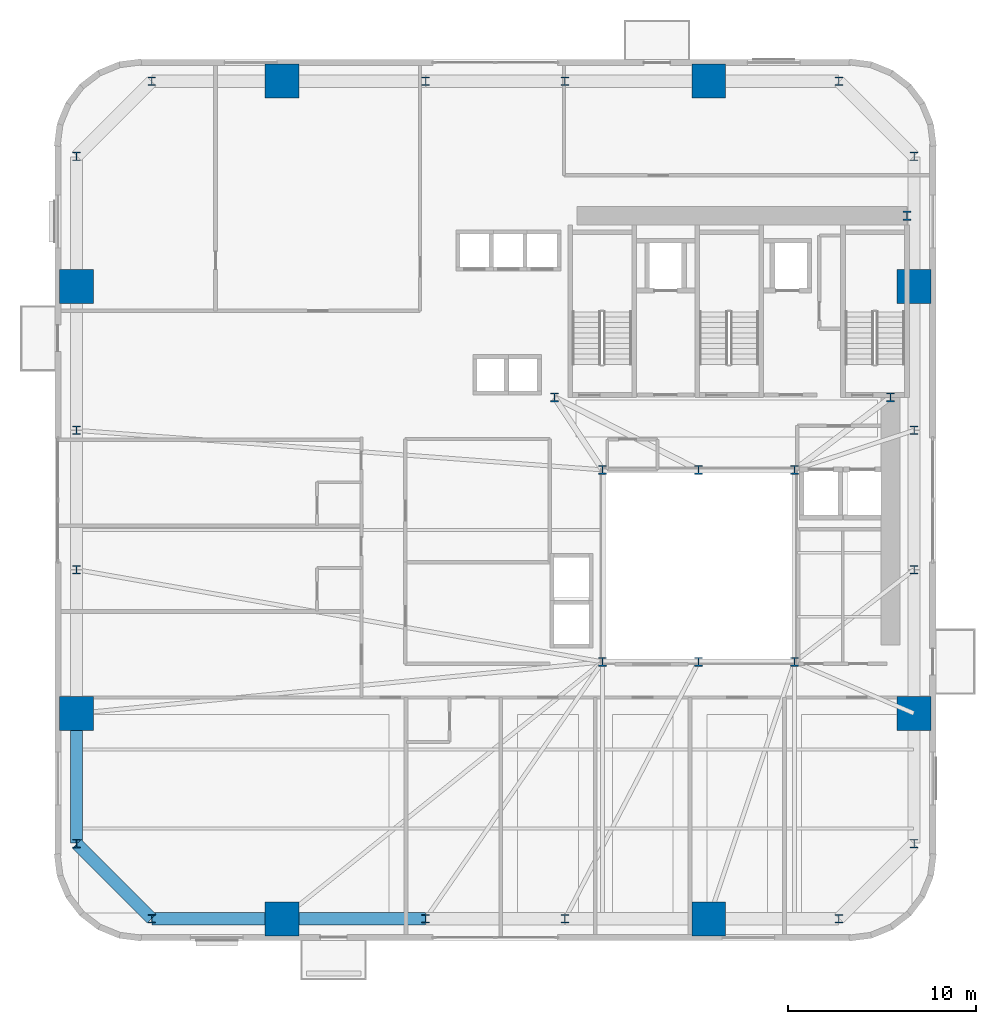
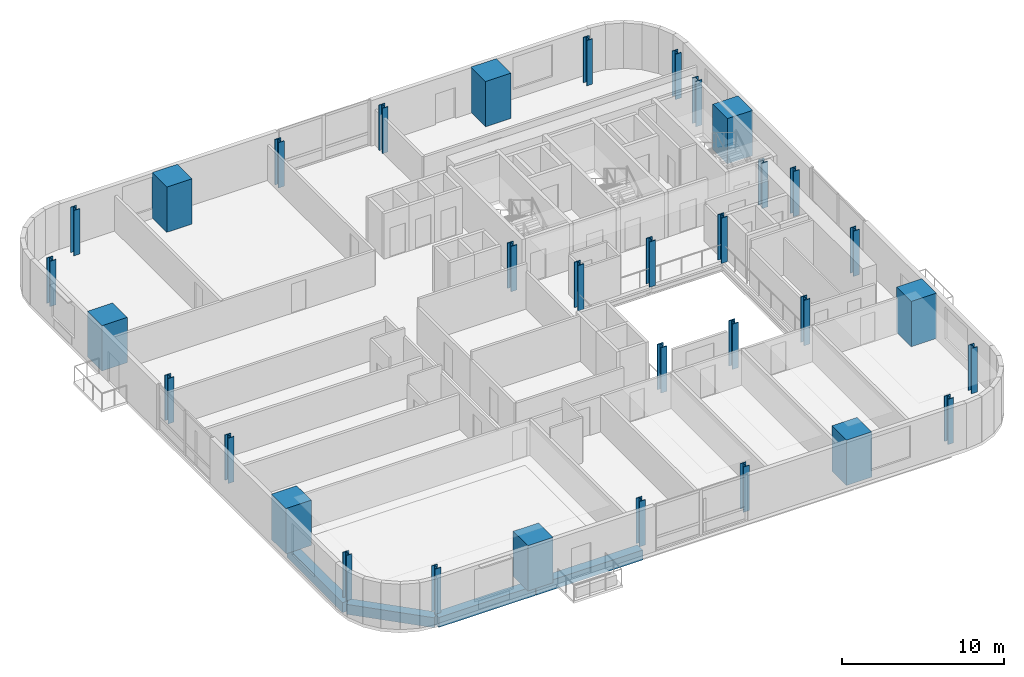
# One storey, part 1 of 11: 33 columns, 4 beams.
"""IFC4 building model written with IfcOpenShell, lengths in metres."""

from ifc_helpers import new_model, si_unit, direction, frame, origin, origin_2d, place, context, subcontext, project, spatial, rectangle, i_section, extrude, source, transform, mapped, material, material_profile, profile_set, type_object, element, save


model = new_model("IFC4")

# Units and contexts
model_context = context("Model", 3, precision=1e-05, world=origin(), true_north=direction((0.0, 1.0)))
body_context = subcontext(model_context, "Body", "Model", "MODEL_VIEW")
ifc_project = project(units=[si_unit("LENGTHUNIT", "METRE"), si_unit("AREAUNIT", "SQUARE_METRE"), si_unit("VOLUMEUNIT", "CUBIC_METRE"), si_unit("PLANEANGLEUNIT", "RADIAN"), si_unit("MASSUNIT", "GRAM", prefix="KILO")], contexts=[model_context])

# Site, building, storey
site_placement = place(None, origin())
site = spatial("IfcSite", under=ifc_project, at=site_placement, CompositionType="ELEMENT")
building_placement = place(site_placement, origin())
building = spatial("IfcBuilding", under=site, at=building_placement, Name="Vardaveli Station Tower", CompositionType="ELEMENT")
storey_placement = place(building_placement, frame((0.0, 0.0, 42.199951171875)))
storey = spatial("IfcBuildingStorey", under=building, at=storey_placement, Name="L10", CompositionType="ELEMENT", Elevation=42.199951171875)

# Columns
ifc_material_1 = material(Name="Structural steel S460M", Category="steel")
ifc_material_profile_1 = material_profile(ifc_material_1, i_section(OverallWidth=0.427978515625, OverallDepth=0.48095703125, WebThickness=0.03955078125, FlangeThickness=0.0634765625, FilletRadius=0.014892578125, at=origin_2d()), Name="HD 400x677")
ifc_profile_set_1 = profile_set([ifc_material_profile_1], Name="Structural steel S460M")
column_type_1 = type_object("IfcColumnType", Name="COL-HD677", PredefinedType="COLUMN", material=ifc_profile_set_1)
shared_shape_1 = source(origin(), body_context, "Body", "SweptSolid", [
    extrude(i_section(OverallWidth=0.427978515625, OverallDepth=0.48095703125, WebThickness=0.03955078125, FlangeThickness=0.0634765625, FilletRadius=0.014892578125, at=origin_2d()), origin(), (0.0, 0.0, 1.0), 3.41015625),
])
for number, where, z_axis, x_axis, name in (
    (1, (31.199951171875, 16.60009765625, 0.0), (0.0, 0.0, 1.0), (1.0, 0.0, 0.0), "COL-L10-AC1"),
    (2, (36.300048828125, 16.60009765625, 0.0), (0.0, 0.0, 1.0), (1.0, 0.0, 0.0), "COL-L10-AC2"),
    (3, (41.39990234375, 16.60009765625, 0.0), (0.0, 0.0, 1.0), (1.0, 0.0, 0.0), "COL-L10-AC3"),
    (4, (41.39990234375, 26.800048828125, 0.0), (0.0, 0.0, 1.0), (1.0, 0.0, 0.0), "COL-L10-AC4"),
    (5, (36.300048828125, 26.800048828125, 0.0), (0.0, 0.0, 1.0), (1.0, 0.0, 0.0), "COL-L10-AC5"),
    (6, (31.199951171875, 26.800048828125, 0.0), (0.0, 0.0, 1.0), (1.0, 0.0, 0.0), "COL-L10-AC6"),
    (7, (28.64990234375, 30.64990234375, 0.0), (0.0, 0.0, 1.0), (1.0, 0.0, 0.0), "COL-L10-CC1"),
    (8, (46.5, 30.64990234375, 0.0), (0.0, 0.0, 1.0), (1.0, 0.0, 0.0), "COL-L10-CC2"),
    (9, (47.3701171875, 40.300048828125, 0.0), (0.0, 0.0, 1.0), (1.0, 0.0, 0.0), "COL-L10-CC3"),
):
    element("IfcColumn", number, at=place(storey_placement, frame(where, z_axis=z_axis, x_axis=x_axis)), inside=storey, type_object=column_type_1, Name=name, PredefinedType="COLUMN", context=body_context, shape_type="MappedRepresentation", body=[
        mapped(shared_shape_1, transform((0.0, 0.0, 0.0), scale=1.0)),
    ])
ifc_material_2 = material(Name="Concrete C70/85", Category="concrete")
ifc_material_profile_2 = material_profile(ifc_material_2, rectangle(XDim=1.800048828125, YDim=1.800048828125, at=origin_2d()), Name="MC 1800x1800")
ifc_profile_set_2 = profile_set([ifc_material_profile_2], Name="Concrete C70/85")
column_type_2 = type_object("IfcColumnType", Name="COL-MC-1800", PredefinedType="COLUMN", material=ifc_profile_set_2)
shared_shape_2 = source(origin(), body_context, "Body", "SweptSolid", [
    extrude(rectangle(XDim=1.800048828125, YDim=1.800048828125, at=origin_2d()), origin(), (0.0, 0.0, 1.0), 3.41015625),
])
for number, where, z_axis, x_axis, name in (
    (10, (14.159912109375, 2.949951171875, 0.0), (0.0, 0.0, 1.0), (1.0, 0.0, 0.0), "COL-L10-MC1"),
    (11, (36.840087890625, 2.949951171875, 0.0), (0.0, 0.0, 1.0), (1.0, 0.0, 0.0), "COL-L10-MC2"),
    (12, (47.75, 13.860107421875, 0.0), (0.0, 0.0, 1.0), (1.0, 0.0, 0.0), "COL-L10-MC3"),
    (13, (47.75, 36.5400390625, 0.0), (0.0, 0.0, 1.0), (1.0, 0.0, 0.0), "COL-L10-MC4"),
    (14, (36.840087890625, 47.449951171875, 0.0), (0.0, 0.0, 1.0), (1.0, 0.0, 0.0), "COL-L10-MC5"),
    (15, (14.159912109375, 47.449951171875, 0.0), (0.0, 0.0, 1.0), (1.0, 0.0, 0.0), "COL-L10-MC6"),
    (16, (3.25, 36.5400390625, 0.0), (0.0, 0.0, 1.0), (1.0, 0.0, 0.0), "COL-L10-MC7"),
    (17, (3.25, 13.860107421875, 0.0), (0.0, 0.0, 1.0), (1.0, 0.0, 0.0), "COL-L10-MC8"),
):
    element("IfcColumn", number, at=place(storey_placement, frame(where, z_axis=z_axis, x_axis=x_axis)), inside=storey, type_object=column_type_2, Name=name, PredefinedType="COLUMN", context=body_context, shape_type="MappedRepresentation", body=[
        mapped(shared_shape_2, transform((0.0, 0.0, 0.0), scale=1.0)),
    ])
ifc_material_profile_3 = material_profile(ifc_material_1, i_section(OverallWidth=0.4189453125, OverallDepth=0.448974609375, WebThickness=0.030517578125, FlangeThickness=0.04833984375, FilletRadius=0.014892578125, at=origin_2d()), Name="HD 400x509")
ifc_profile_set_3 = profile_set([ifc_material_profile_3], Name="Structural steel S460M")
column_type_3 = type_object("IfcColumnType", Name="COL-HD509", PredefinedType="COLUMN", material=ifc_profile_set_3)
shared_shape_3 = source(origin(), body_context, "Body", "SweptSolid", [
    extrude(i_section(OverallWidth=0.4189453125, OverallDepth=0.448974609375, WebThickness=0.030517578125, FlangeThickness=0.04833984375, FilletRadius=0.014892578125, at=origin_2d()), origin(), (0.0, 0.0, 1.0), 3.41015625),
])
for number, where, z_axis, x_axis, name in (
    (18, (7.25, 2.949951171875, 0.0), (0.0, 0.0, 1.0), (1.0, 0.0, 0.0), "COL-L10-PC01"),
    (19, (21.800048828125, 2.949951171875, 0.0), (0.0, 0.0, 1.0), (1.0, 0.0, 0.0), "COL-L10-PC02"),
    (20, (29.199951171875, 2.949951171875, 0.0), (0.0, 0.0, 1.0), (1.0, 0.0, 0.0), "COL-L10-PC03"),
    (21, (43.75, 2.949951171875, 0.0), (0.0, 0.0, 1.0), (1.0, 0.0, 0.0), "COL-L10-PC04"),
    (22, (47.75, 6.949951171875, 0.0), (0.0, 0.0, 1.0), (1.0, 0.0, 0.0), "COL-L10-PC05"),
    (23, (47.75, 21.5, 0.0), (0.0, 0.0, 1.0), (1.0, 0.0, 0.0), "COL-L10-PC06"),
    (24, (47.75, 28.89990234375, 0.0), (0.0, 0.0, 1.0), (1.0, 0.0, 0.0), "COL-L10-PC07"),
    (25, (47.75, 43.449951171875, 0.0), (0.0, 0.0, 1.0), (1.0, 0.0, 0.0), "COL-L10-PC08"),
    (26, (43.75, 47.449951171875, 0.0), (0.0, 0.0, 1.0), (1.0, 0.0, 0.0), "COL-L10-PC09"),
    (27, (29.199951171875, 47.449951171875, 0.0), (0.0, 0.0, 1.0), (1.0, 0.0, 0.0), "COL-L10-PC10"),
    (28, (21.800048828125, 47.449951171875, 0.0), (0.0, 0.0, 1.0), (1.0, 0.0, 0.0), "COL-L10-PC11"),
    (29, (7.25, 47.449951171875, 0.0), (0.0, 0.0, 1.0), (1.0, 0.0, 0.0), "COL-L10-PC12"),
    (30, (3.25, 43.449951171875, 0.0), (0.0, 0.0, 1.0), (1.0, 0.0, 0.0), "COL-L10-PC13"),
    (31, (3.25, 28.89990234375, 0.0), (0.0, 0.0, 1.0), (1.0, 0.0, 0.0), "COL-L10-PC14"),
    (32, (3.25, 21.5, 0.0), (0.0, 0.0, 1.0), (1.0, 0.0, 0.0), "COL-L10-PC15"),
    (33, (3.25, 6.949951171875, 0.0), (0.0, 0.0, 1.0), (1.0, 0.0, 0.0), "COL-L10-PC16"),
):
    element("IfcColumn", number, at=place(storey_placement, frame(where, z_axis=z_axis, x_axis=x_axis)), inside=storey, type_object=column_type_3, Name=name, PredefinedType="COLUMN", context=body_context, shape_type="MappedRepresentation", body=[
        mapped(shared_shape_3, transform((0.0, 0.0, 0.0), scale=1.0)),
    ])

# Beams
ifc_material_3 = material(Name="Precast concrete C45/55", Category="concrete")
ifc_material_profile_4 = material_profile(ifc_material_3, rectangle(XDim=0.64990234375, YDim=0.75, at=origin_2d()), Name="LPB 650x750")
ifc_profile_set_4 = profile_set([ifc_material_profile_4], Name="Precast concrete C45/55")
beam_type = type_object("IfcBeamType", Name="BM-LPB-750", PredefinedType="BEAM", material=ifc_profile_set_4)
shared_shape_4 = source(origin(), body_context, "Body", "SweptSolid", [
    extrude(rectangle(XDim=0.64990234375, YDim=0.75, at=origin_2d()), origin(), (0.0, 0.0, 1.0), 7.60009765625),
])
beam_1_placement = place(storey_placement, frame((14.179931640625, 2.949951171875, -0.614990234375), z_axis=(1.0, 0.0, 0.0), x_axis=(0.0, 1.0, 0.0)))
element("IfcBeam", 34, at=beam_1_placement, inside=storey, type_object=beam_type, Name="RBM-L10-01", PredefinedType="BEAM", context=body_context, shape_type="MappedRepresentation", body=[
    mapped(shared_shape_4, transform((0.0, 0.0, 0.0), scale=1.0)),
])
shared_shape_5 = source(origin(), body_context, "Body", "SweptSolid", [
    extrude(rectangle(XDim=0.64990234375, YDim=0.75, at=origin_2d()), origin(), (0.0, 0.0, 1.0), 6.869873046875),
])
beam_2_placement = place(storey_placement, frame((7.27001953125, 2.949951171875, -0.614990234375), z_axis=(1.0, 0.0, 0.0), x_axis=(0.0, 1.0, 0.0)))
element("IfcBeam", 35, at=beam_2_placement, inside=storey, type_object=beam_type, Name="RBM-L10-24", PredefinedType="BEAM", context=body_context, shape_type="MappedRepresentation", body=[
    mapped(shared_shape_5, transform((0.0, 0.0, 0.0), scale=1.0)),
])
shared_shape_6 = source(origin(), body_context, "Body", "SweptSolid", [
    extrude(rectangle(XDim=0.64990234375, YDim=0.75, at=origin_2d()), origin(), (0.0, 0.0, 1.0), 5.61669921875),
])
beam_3_placement = place(storey_placement, frame((3.26416015625, 6.935791015625, -0.614990234375), z_axis=(0.707106781187, -0.707106781187, 0.0), x_axis=(0.707106781187, 0.707106781187, 0.0)))
element("IfcBeam", 36, at=beam_3_placement, inside=storey, type_object=beam_type, Name="RBM-L10-23", PredefinedType="BEAM", context=body_context, shape_type="MappedRepresentation", body=[
    mapped(shared_shape_6, transform((0.0, 0.0, 0.0), scale=1.0)),
])
shared_shape_7 = source(origin(), body_context, "Body", "SweptSolid", [
    extrude(rectangle(XDim=0.64990234375, YDim=0.75, at=origin_2d()), origin(), (0.0, 0.0, 1.0), 6.8701171875),
])
beam_4_placement = place(storey_placement, frame((3.25, 13.840087890625, -0.614990234375), z_axis=(0.0, -1.0, 0.0), x_axis=(1.0, 0.0, 0.0)))
element("IfcBeam", 37, at=beam_4_placement, inside=storey, type_object=beam_type, Name="RBM-L10-22", PredefinedType="BEAM", context=body_context, shape_type="MappedRepresentation", body=[
    mapped(shared_shape_7, transform((0.0, 0.0, 0.0), scale=1.0)),
])

save(model, "model.ifc")
